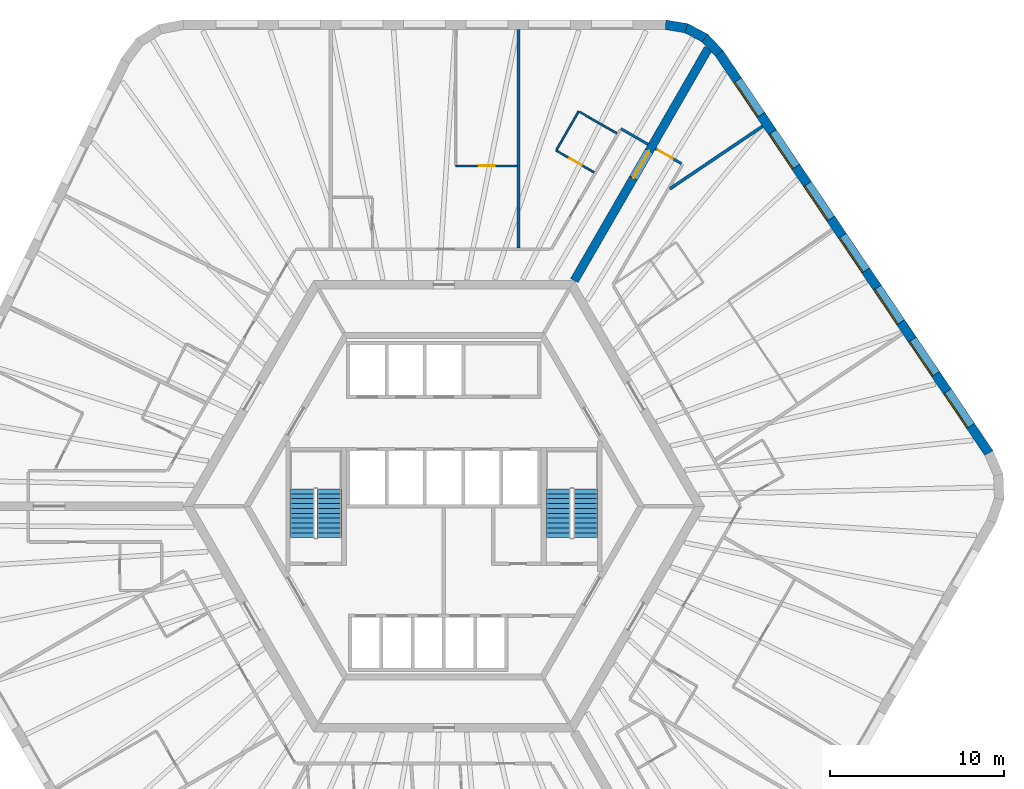
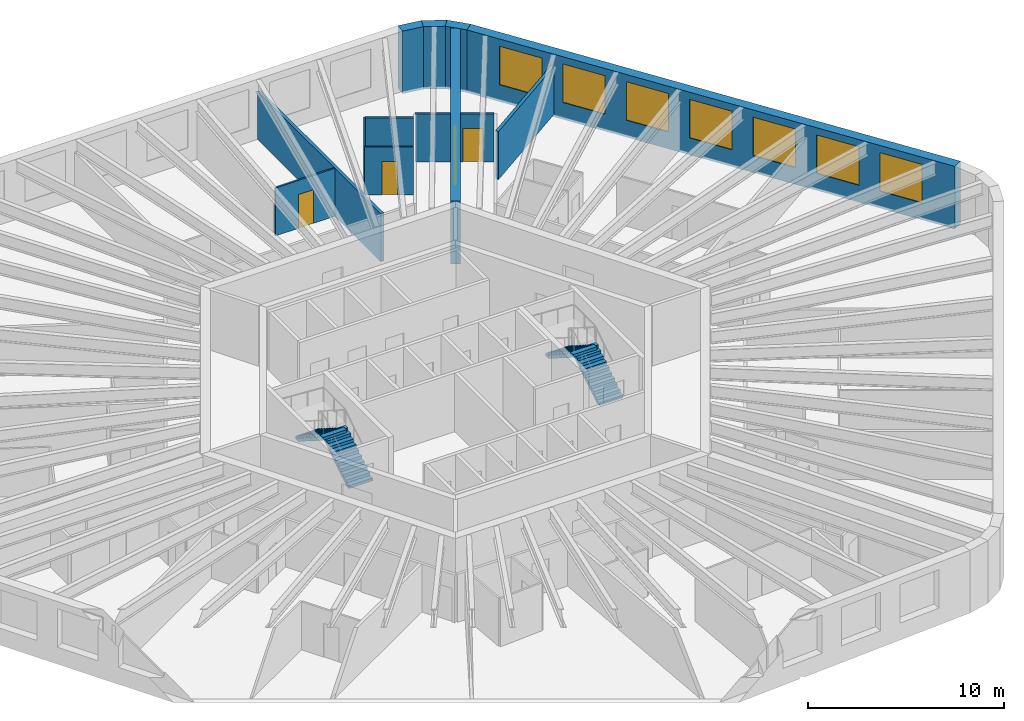
# One storey, part 9 of 10: 13 walls, 7 windows, 4 doors, 4 stair flights, 11 openings, 2 elements without a shape of their own.
"""IFC4 building model written with IfcOpenShell, lengths in metres."""

from ifc_helpers import new_model, si_unit, direction, frame, frame_2d, origin, place, context, subcontext, project, spatial, polyline, rectangle, outline, extrude, material, layer, layer_set, type_object, element, fill, aggregate, save


model = new_model("IFC4")

# Units and contexts
model_context = context("Model", 3, precision=1e-05, world=origin(), true_north=direction((0.0, 1.0)))
body_context = subcontext(model_context, "Body", "Model", "MODEL_VIEW")
ifc_project = project(units=[si_unit("LENGTHUNIT", "METRE"), si_unit("AREAUNIT", "SQUARE_METRE"), si_unit("VOLUMEUNIT", "CUBIC_METRE"), si_unit("PLANEANGLEUNIT", "RADIAN"), si_unit("MASSUNIT", "GRAM", prefix="KILO")], contexts=[model_context])

# Site, building, storey
site_placement = place(None, origin())
site = spatial("IfcSite", under=ifc_project, at=site_placement, CompositionType="ELEMENT")
building_placement = place(site_placement, origin())
building = spatial("IfcBuilding", under=site, at=building_placement, Name="Tarnside Tower", CompositionType="ELEMENT")
storey_placement = place(building_placement, frame((0.0, 0.0, 180.0)))
storey = spatial("IfcBuildingStorey", under=building, at=storey_placement, Name="L42", CompositionType="ELEMENT", Elevation=180.0)

# Wall, opening, door
ifc_material_1 = material(Name="Gypsum board partition on steel studs", Category="steel")
ifc_layer_1 = layer(ifc_material_1, 0.10009765625)
ifc_layer_set_1 = layer_set([ifc_layer_1], Name="Bathroom wall 100")
wall_type_1 = type_object("IfcWallType", Name="Bathroom wall 100", PredefinedType="PARTITIONING", material=ifc_layer_set_1)
wall_1_placement = place(storey_placement, frame((8.646240234375, 19.2255859375, 0.0), z_axis=(0.0, 0.0, 1.0), x_axis=(-0.866039067339, 0.499976333282, 0.0)))
wall_1 = element("IfcWall", 1, at=wall_1_placement, inside=storey, type_object=wall_type_1, Name="Bathroom wall 13049", PredefinedType="PARTITIONING", context=body_context, shape_type="SweptSolid", body=[
    extrude(rectangle(XDim=2.52490234375, YDim=0.10009765625, at=frame_2d((1.262451171875, 0.0))), origin(), (0.0, 0.0, 1.0), 2.98779296875),
])
opening_1_placement = place(wall_1_placement, frame((0.824951171875, 0.0, 0.0)))
opening_1 = element("IfcOpeningElement", 2, at=opening_1_placement, cuts=wall_1, Name="Opening D-B1", PredefinedType="OPENING", context=body_context, shape_type="SweptSolid", body=[
    extrude(rectangle(XDim=0.800048828125, YDim=2.10009765625, at=frame_2d((0.39990234375, 1.050048828125))), frame((0.0, 0.06005859375, 0.0), z_axis=(0.0, -1.0, 0.0), x_axis=(1.0, 0.0, 0.0)), (0.0, 0.0, 1.0), 0.1201171875),
])
ifc_material_2 = material(Name="Timber door leaf", Category="wood")
door_type_1 = type_object("IfcDoorType", Name="Bathroom door 800", OperationType="NOTDEFINED", PredefinedType="DOOR", material=ifc_material_2)
door_1_placement = place(opening_1_placement, origin())
door_1 = element("IfcDoor", 3, at=door_1_placement, inside=storey, type_object=door_type_1, Name="Bathroom door 13002", OperationType="SINGLE_SWING_RIGHT", OverallHeight=2.10009765625, OverallWidth=0.800048828125, PredefinedType="DOOR", context=body_context, shape_type="SweptSolid", body=[
    extrude(rectangle(XDim=0.800048828125, YDim=2.10009765625, at=frame_2d((0.39990234375, 1.050048828125))), frame((0.0, 0.02490234375, 0.0), z_axis=(0.0, -1.0, 0.0), x_axis=(1.0, 0.0, 0.0)), (0.0, 0.0, 1.0), 0.050048828125),
])
fill(opening_1, door_1)

# Walls
wall_2_placement = place(storey_placement, frame((6.484375, 20.531494140625, 0.0), z_axis=(0.0, 0.0, 1.0), x_axis=(0.500062241894, 0.865989465428, 0.0)))
element("IfcWall", 4, at=wall_2_placement, inside=storey, type_object=wall_type_1, Name="Bathroom wall 13050", PredefinedType="PARTITIONING", context=body_context, shape_type="SweptSolid", body=[
    extrude(rectangle(XDim=2.550048828125, YDim=0.10009765625, at=frame_2d((1.27490234375, 0.0))), origin(), (0.0, 0.0, 1.0), 2.98779296875),
])
wall_3_placement = place(storey_placement, frame((7.802734375, 22.71484375, 0.0), z_axis=(0.0, 0.0, 1.0), x_axis=(0.866006523861, -0.500032699561, 0.0)))
element("IfcWall", 5, at=wall_3_placement, inside=storey, type_object=wall_type_1, Name="Bathroom wall 13051", PredefinedType="PARTITIONING", context=body_context, shape_type="SweptSolid", body=[
    extrude(rectangle(XDim=2.474853515625, YDim=0.10009765625, at=frame_2d((1.2373046875, 0.0))), origin(), (0.0, 0.0, 1.0), 2.98779296875),
])

# Wall, opening, door
ifc_material_3 = material(Name="Concrete C70/85", Category="concrete")
ifc_layer_2 = layer(ifc_material_3, 0.5)
ifc_layer_set_2 = layer_set([ifc_layer_2], Name="Core wall Z2 500 C70/85")
wall_type_2 = type_object("IfcWallType", Name="Core wall Z2 500 C70/85", PredefinedType="SHEAR", material=ifc_layer_set_2)
wall_4_placement = place(storey_placement, frame((7.505615234375, 13.0, -0.14990234375), z_axis=(0.0, 0.0, 1.0), x_axis=(0.499988271576, 0.866032175087, 0.0)))
wall_4 = element("IfcWall", 6, at=wall_4_placement, inside=storey, type_object=wall_type_2, Name="L42 spine wall 1", PredefinedType="SHEAR", context=body_context, shape_type="SweptSolid", body=[
    extrude(rectangle(XDim=15.423583984375, YDim=0.5, at=frame_2d((7.7119140625, 0.0))), origin(), (0.0, 0.0, 1.0), 3.89990234375),
])
opening_2_placement = place(wall_4_placement, frame((6.811767578125, 0.0, 0.14990234375)))
opening_2 = element("IfcOpeningElement", 7, at=opening_2_placement, cuts=wall_4, Name="Opening CD-SPN", PredefinedType="OPENING", context=body_context, shape_type="SweptSolid", body=[
    extrude(rectangle(XDim=1.800048828125, YDim=2.39990234375, at=frame_2d((0.89990234375, 1.199951171875))), frame((0.0, 0.260009765625, 0.0), z_axis=(0.0, -1.0, 0.0), x_axis=(1.0, 0.0, 0.0)), (0.0, 0.0, 1.0), 0.52001953125),
])
ifc_material_4 = material(Name="Steel fire door", Category="steel")
door_type_2 = type_object("IfcDoorType", Name="Spine passage double door FD60 1800x2400", OperationType="NOTDEFINED", PredefinedType="DOOR", material=ifc_material_4)
door_2_placement = place(opening_2_placement, origin())
door_2 = element("IfcDoor", 8, at=door_2_placement, inside=storey, type_object=door_type_2, Name="L42 spine passage door 1", OperationType="DOUBLE_DOOR_SINGLE_SWING", OverallHeight=2.39990234375, OverallWidth=1.800048828125, PredefinedType="DOOR", context=body_context, shape_type="SweptSolid", body=[
    extrude(rectangle(XDim=1.800048828125, YDim=2.39990234375, at=frame_2d((0.89990234375, 1.199951171875))), frame((0.0, 0.02490234375, 0.0), z_axis=(0.0, -1.0, 0.0), x_axis=(1.0, 0.0, 0.0)), (0.0, 0.0, 1.0), 0.050048828125),
])
fill(opening_2, door_2)

# Wall
ifc_layer_3 = layer(ifc_material_1, 0.14990234375)
ifc_layer_set_3 = layer_set([ifc_layer_3], Name="Corridor wall 150 EI 60")
wall_type_3 = type_object("IfcWallType", Name="Corridor wall 150 EI 60", PredefinedType="PARTITIONING", material=ifc_layer_set_3)
wall_5_placement = place(storey_placement, frame((11.744873046875, 20.8427734375, 0.0), z_axis=(0.0, 0.0, 1.0), x_axis=(-0.865989075817, 0.500062916607, 0.0)))
element("IfcWall", 9, at=wall_5_placement, inside=storey, type_object=wall_type_3, Name="Corridor wall 13003", PredefinedType="PARTITIONING", context=body_context, shape_type="SweptSolid", body=[
    extrude(rectangle(XDim=1.800048828125, YDim=0.14990234375, at=frame_2d((0.89990234375, 0.0))), origin(), (0.0, 0.0, 1.0), 2.98779296875),
])

# Wall, opening, door
wall_6_placement = place(storey_placement, frame((13.671875, 19.73046875, 0.0), z_axis=(0.0, 0.0, 1.0), x_axis=(-0.866074815912, 0.499914405916, 0.0)))
wall_6 = element("IfcWall", 10, at=wall_6_placement, inside=storey, type_object=wall_type_3, Name="Corridor wall 13048", PredefinedType="PARTITIONING", context=body_context, shape_type="SweptSolid", body=[
    extrude(rectangle(XDim=1.724853515625, YDim=0.14990234375, at=frame_2d((0.8623046875, 0.0))), origin(), (0.0, 0.0, 1.0), 2.98779296875),
])
opening_3_placement = place(wall_6_placement, frame((0.574951171875, 0.0, 0.0)))
opening_3 = element("IfcOpeningElement", 11, at=opening_3_placement, cuts=wall_6, Name="Opening D-E1", PredefinedType="OPENING", context=body_context, shape_type="SweptSolid", body=[
    extrude(rectangle(XDim=1.0, YDim=2.10009765625, at=frame_2d((0.5, 1.050048828125))), frame((0.0, 0.0849609375, 0.0), z_axis=(0.0, -1.0, 0.0), x_axis=(1.0, 0.0, 0.0)), (0.0, 0.0, 1.0), 0.169921875),
])
door_type_3 = type_object("IfcDoorType", Name="Unit entrance door 1000 FD30S", OperationType="NOTDEFINED", PredefinedType="DOOR", material=ifc_material_2)
door_3_placement = place(opening_3_placement, origin())
door_3 = element("IfcDoor", 12, at=door_3_placement, inside=storey, type_object=door_type_3, Name="Unit door 13035", OperationType="SINGLE_SWING_LEFT", OverallHeight=2.10009765625, OverallWidth=1.0, PredefinedType="DOOR", context=body_context, shape_type="SweptSolid", body=[
    extrude(rectangle(XDim=1.0, YDim=2.10009765625, at=frame_2d((0.5, 1.050048828125))), frame((0.0, 0.02490234375, 0.0), z_axis=(0.0, -1.0, 0.0), x_axis=(1.0, 0.0, 0.0)), (0.0, 0.0, 1.0), 0.050048828125),
])
fill(opening_3, door_3)

# Walls
ifc_layer_4 = layer(ifc_material_1, 0.179931640625)
ifc_layer_set_4 = layer_set([ifc_layer_4], Name="Demising wall 180 EI 60")
wall_type_4 = type_object("IfcWallType", Name="Demising wall 180 EI 60", PredefinedType="PARTITIONING", material=ifc_layer_set_4)
wall_7_placement = place(storey_placement, frame((4.2822265625, 27.449951171875, 0.0), z_axis=(0.0, 0.0, 1.0), x_axis=(0.0, -1.0, 0.0)))
element("IfcWall", 13, at=wall_7_placement, inside=storey, type_object=wall_type_4, Name="Demising wall 13052", PredefinedType="PARTITIONING", context=body_context, shape_type="SweptSolid", body=[
    extrude(rectangle(XDim=12.574951171875, YDim=0.179931640625, at=frame_2d((6.28759765625, 0.0))), origin(), (0.0, 0.0, 1.0), 2.98779296875),
])
wall_8_placement = place(storey_placement, frame((18.349609375, 21.88427734375, 0.0), z_axis=(0.0, 0.0, 1.0), x_axis=(-0.829047205772, -0.559178621374, 0.0)))
element("IfcWall", 14, at=wall_8_placement, inside=storey, type_object=wall_type_4, Name="Demising wall 13115", PredefinedType="PARTITIONING", context=body_context, shape_type="SweptSolid", body=[
    extrude(rectangle(XDim=6.442138671875, YDim=0.179931640625, at=frame_2d((3.22119140625, 0.0))), origin(), (0.0, 0.0, 1.0), 2.98779296875),
])

# Wall, opening, door
ifc_layer_5 = layer(ifc_material_1, 0.10009765625)
ifc_layer_set_5 = layer_set([ifc_layer_5], Name="Partition 100")
wall_type_5 = type_object("IfcWallType", Name="Partition 100", PredefinedType="PARTITIONING", material=ifc_layer_set_5)
wall_9_placement = place(storey_placement, frame((4.192138671875, 19.60009765625, 0.0), z_axis=(0.0, 0.0, 1.0), x_axis=(-1.0, 0.0, 0.0)))
wall_9 = element("IfcWall", 15, at=wall_9_placement, inside=storey, type_object=wall_type_5, Name="Partition wall 13056", PredefinedType="PARTITIONING", context=body_context, shape_type="SweptSolid", body=[
    extrude(rectangle(XDim=3.510009765625, YDim=0.10009765625, at=frame_2d((1.7548828125, 0.0))), origin(), (0.0, 0.0, 1.0), 2.98779296875),
])
opening_4_placement = place(wall_9_placement, frame((1.260009765625, 0.0, 0.0)))
opening_4 = element("IfcOpeningElement", 16, at=opening_4_placement, cuts=wall_9, Name="Opening D-I1", PredefinedType="OPENING", context=body_context, shape_type="SweptSolid", body=[
    extrude(rectangle(XDim=0.89990234375, YDim=2.10009765625, at=frame_2d((0.449951171875, 1.050048828125))), frame((0.0, 0.06005859375, 0.0), z_axis=(0.0, -1.0, 0.0), x_axis=(1.0, 0.0, 0.0)), (0.0, 0.0, 1.0), 0.1201171875),
])
door_type_4 = type_object("IfcDoorType", Name="Internal door 900", OperationType="NOTDEFINED", PredefinedType="DOOR", material=ifc_material_2)
door_4_placement = place(opening_4_placement, origin())
door_4 = element("IfcDoor", 17, at=door_4_placement, inside=storey, type_object=door_type_4, Name="Internal door 13005", OperationType="SINGLE_SWING_RIGHT", OverallHeight=2.10009765625, OverallWidth=0.89990234375, PredefinedType="DOOR", context=body_context, shape_type="SweptSolid", body=[
    extrude(rectangle(XDim=0.89990234375, YDim=2.10009765625, at=frame_2d((0.449951171875, 1.050048828125))), frame((0.0, 0.02490234375, 0.0), z_axis=(0.0, -1.0, 0.0), x_axis=(1.0, 0.0, 0.0)), (0.0, 0.0, 1.0), 0.050048828125),
])
fill(opening_4, door_4)

# Wall, openings, windows
ifc_material_5 = material(Name="Facing brick", Category="masonry")
ifc_layer_6 = layer(ifc_material_5, 0.10205078125)
ifc_material_6 = material(Name="Concrete C60/75 precast", Category="concrete")
ifc_layer_7 = layer(ifc_material_6, 0.347900390625)
ifc_material_7 = material(Name="Mineral wool insulation")
ifc_layer_8 = layer(ifc_material_7, 0.10009765625)
ifc_layer_set_6 = layer_set([ifc_layer_6, ifc_layer_7, ifc_layer_8], Name="Tube wall 550 brick faced")
wall_type_6 = type_object("IfcWallType", Name="Tube wall 550 brick faced", PredefinedType="SOLIDWALL", material=ifc_layer_set_6)
wall_10_placement = place(storey_placement, frame((31.37109375, 3.070556640625, -0.14990234375), z_axis=(0.0, 0.0, 1.0), x_axis=(-0.559189891278, 0.829039604297, 0.0)))
wall_10 = element("IfcWall", 18, at=wall_10_placement, inside=storey, type_object=wall_type_6, Name="Tube wall L42 F6 flush 20", PredefinedType="SOLIDWALL", context=body_context, shape_type="SweptSolid", body=[
    extrude(outline(polyline([(-0.025634765625, -0.27490234375), (27.780517578125, -0.27490234375), (27.735595703125, 0.27490234375), (0.025634765625, 0.27490234375), (-0.025634765625, -0.27490234375)])), origin(), (0.0, 0.0, 1.0), 3.89990234375),
])
opening_5_placement = place(wall_10_placement, frame((1.87890625, 0.0, 1.050048828125)))
opening_5 = element("IfcOpeningElement", 19, at=opening_5_placement, cuts=wall_10, Name="Opening WH", PredefinedType="OPENING", context=body_context, shape_type="SweptSolid", body=[
    extrude(rectangle(XDim=2.39990234375, YDim=2.39990234375, at=frame_2d((1.199951171875, 1.199951171875))), frame((0.0, 0.28515625, 0.0), z_axis=(0.0, -1.0, 0.0), x_axis=(1.0, 0.0, 0.0)), (0.0, 0.0, 1.0), 0.570068359375),
])
opening_6_placement = place(wall_10_placement, frame((5.47900390625, 0.0, 1.050048828125)))
opening_6 = element("IfcOpeningElement", 20, at=opening_6_placement, cuts=wall_10, Name="Opening WH", PredefinedType="OPENING", context=body_context, shape_type="SweptSolid", body=[
    extrude(rectangle(XDim=2.39990234375, YDim=2.39990234375, at=frame_2d((1.199951171875, 1.199951171875))), frame((0.0, 0.28515625, 0.0), z_axis=(0.0, -1.0, 0.0), x_axis=(1.0, 0.0, 0.0)), (0.0, 0.0, 1.0), 0.570068359375),
])
opening_7_placement = place(wall_10_placement, frame((9.078857421875, 0.0, 1.050048828125)))
opening_7 = element("IfcOpeningElement", 21, at=opening_7_placement, cuts=wall_10, Name="Opening WH", PredefinedType="OPENING", context=body_context, shape_type="SweptSolid", body=[
    extrude(rectangle(XDim=2.39990234375, YDim=2.39990234375, at=frame_2d((1.199951171875, 1.199951171875))), frame((0.0, 0.28515625, 0.0), z_axis=(0.0, -1.0, 0.0), x_axis=(1.0, 0.0, 0.0)), (0.0, 0.0, 1.0), 0.570068359375),
])
opening_8_placement = place(wall_10_placement, frame((12.678955078125, 0.0, 1.050048828125)))
opening_8 = element("IfcOpeningElement", 22, at=opening_8_placement, cuts=wall_10, Name="Opening WH", PredefinedType="OPENING", context=body_context, shape_type="SweptSolid", body=[
    extrude(rectangle(XDim=2.39990234375, YDim=2.39990234375, at=frame_2d((1.199951171875, 1.199951171875))), frame((0.0, 0.28515625, 0.0), z_axis=(0.0, -1.0, 0.0), x_axis=(1.0, 0.0, 0.0)), (0.0, 0.0, 1.0), 0.570068359375),
])
opening_9_placement = place(wall_10_placement, frame((16.27880859375, 0.0, 1.050048828125)))
opening_9 = element("IfcOpeningElement", 23, at=opening_9_placement, cuts=wall_10, Name="Opening WH", PredefinedType="OPENING", context=body_context, shape_type="SweptSolid", body=[
    extrude(rectangle(XDim=2.39990234375, YDim=2.39990234375, at=frame_2d((1.199951171875, 1.199951171875))), frame((0.0, 0.28515625, 0.0), z_axis=(0.0, -1.0, 0.0), x_axis=(1.0, 0.0, 0.0)), (0.0, 0.0, 1.0), 0.570068359375),
])
opening_10_placement = place(wall_10_placement, frame((19.87890625, 0.0, 1.050048828125)))
opening_10 = element("IfcOpeningElement", 24, at=opening_10_placement, cuts=wall_10, Name="Opening WH", PredefinedType="OPENING", context=body_context, shape_type="SweptSolid", body=[
    extrude(rectangle(XDim=2.39990234375, YDim=2.39990234375, at=frame_2d((1.199951171875, 1.199951171875))), frame((0.0, 0.28515625, 0.0), z_axis=(0.0, -1.0, 0.0), x_axis=(1.0, 0.0, 0.0)), (0.0, 0.0, 1.0), 0.570068359375),
])
opening_11_placement = place(wall_10_placement, frame((23.47900390625, 0.0, 1.050048828125)))
opening_11 = element("IfcOpeningElement", 25, at=opening_11_placement, cuts=wall_10, Name="Opening WH", PredefinedType="OPENING", context=body_context, shape_type="SweptSolid", body=[
    extrude(rectangle(XDim=2.39990234375, YDim=2.39990234375, at=frame_2d((1.199951171875, 1.199951171875))), frame((0.0, 0.28515625, 0.0), z_axis=(0.0, -1.0, 0.0), x_axis=(1.0, 0.0, 0.0)), (0.0, 0.0, 1.0), 0.570068359375),
])
ifc_material_8 = material(Name="Aluminium-framed double glazing", Category="aluminium")
window_type = type_object("IfcWindowType", Name="Hotel window 2400 x 2400", PartitioningType="DOUBLE_PANEL_VERTICAL", PredefinedType="WINDOW", material=ifc_material_8)
window_1_placement = place(opening_5_placement, frame((0.0, 0.205078125, 0.0)))
window_1 = element("IfcWindow", 26, at=window_1_placement, inside=storey, type_object=window_type, Name="E.WN.L42.F6.00", OverallHeight=2.39990234375, OverallWidth=2.39990234375, PartitioningType="DOUBLE_PANEL_VERTICAL", PredefinedType="WINDOW", context=body_context, shape_type="SweptSolid", body=[
    extrude(rectangle(XDim=2.39990234375, YDim=2.39990234375, at=frame_2d((1.199951171875, 1.199951171875))), frame((0.0, 0.030029296875, 0.0), z_axis=(0.0, -1.0, 0.0), x_axis=(1.0, 0.0, 0.0)), (0.0, 0.0, 1.0), 0.06005859375),
])
fill(opening_5, window_1)
window_2_placement = place(opening_6_placement, frame((0.0, 0.205078125, 0.0)))
window_2 = element("IfcWindow", 27, at=window_2_placement, inside=storey, type_object=window_type, Name="E.WN.L42.F6.01", OverallHeight=2.39990234375, OverallWidth=2.39990234375, PartitioningType="DOUBLE_PANEL_VERTICAL", PredefinedType="WINDOW", context=body_context, shape_type="SweptSolid", body=[
    extrude(rectangle(XDim=2.39990234375, YDim=2.39990234375, at=frame_2d((1.199951171875, 1.199951171875))), frame((0.0, 0.030029296875, 0.0), z_axis=(0.0, -1.0, 0.0), x_axis=(1.0, 0.0, 0.0)), (0.0, 0.0, 1.0), 0.06005859375),
])
fill(opening_6, window_2)
window_3_placement = place(opening_7_placement, frame((0.0, 0.205078125, 0.0)))
window_3 = element("IfcWindow", 28, at=window_3_placement, inside=storey, type_object=window_type, Name="E.WN.L42.F6.02", OverallHeight=2.39990234375, OverallWidth=2.39990234375, PartitioningType="DOUBLE_PANEL_VERTICAL", PredefinedType="WINDOW", context=body_context, shape_type="SweptSolid", body=[
    extrude(rectangle(XDim=2.39990234375, YDim=2.39990234375, at=frame_2d((1.199951171875, 1.199951171875))), frame((0.0, 0.030029296875, 0.0), z_axis=(0.0, -1.0, 0.0), x_axis=(1.0, 0.0, 0.0)), (0.0, 0.0, 1.0), 0.06005859375),
])
fill(opening_7, window_3)
window_4_placement = place(opening_8_placement, frame((0.0, 0.205078125, 0.0)))
window_4 = element("IfcWindow", 29, at=window_4_placement, inside=storey, type_object=window_type, Name="E.WN.L42.F6.03", OverallHeight=2.39990234375, OverallWidth=2.39990234375, PartitioningType="DOUBLE_PANEL_VERTICAL", PredefinedType="WINDOW", context=body_context, shape_type="SweptSolid", body=[
    extrude(rectangle(XDim=2.39990234375, YDim=2.39990234375, at=frame_2d((1.199951171875, 1.199951171875))), frame((0.0, 0.030029296875, 0.0), z_axis=(0.0, -1.0, 0.0), x_axis=(1.0, 0.0, 0.0)), (0.0, 0.0, 1.0), 0.06005859375),
])
fill(opening_8, window_4)
window_5_placement = place(opening_9_placement, frame((0.0, 0.205078125, 0.0)))
window_5 = element("IfcWindow", 30, at=window_5_placement, inside=storey, type_object=window_type, Name="E.WN.L42.F6.04", OverallHeight=2.39990234375, OverallWidth=2.39990234375, PartitioningType="DOUBLE_PANEL_VERTICAL", PredefinedType="WINDOW", context=body_context, shape_type="SweptSolid", body=[
    extrude(rectangle(XDim=2.39990234375, YDim=2.39990234375, at=frame_2d((1.199951171875, 1.199951171875))), frame((0.0, 0.030029296875, 0.0), z_axis=(0.0, -1.0, 0.0), x_axis=(1.0, 0.0, 0.0)), (0.0, 0.0, 1.0), 0.06005859375),
])
fill(opening_9, window_5)
window_6_placement = place(opening_10_placement, frame((0.0, 0.205078125, 0.0)))
window_6 = element("IfcWindow", 31, at=window_6_placement, inside=storey, type_object=window_type, Name="E.WN.L42.F6.05", OverallHeight=2.39990234375, OverallWidth=2.39990234375, PartitioningType="DOUBLE_PANEL_VERTICAL", PredefinedType="WINDOW", context=body_context, shape_type="SweptSolid", body=[
    extrude(rectangle(XDim=2.39990234375, YDim=2.39990234375, at=frame_2d((1.199951171875, 1.199951171875))), frame((0.0, 0.030029296875, 0.0), z_axis=(0.0, -1.0, 0.0), x_axis=(1.0, 0.0, 0.0)), (0.0, 0.0, 1.0), 0.06005859375),
])
fill(opening_10, window_6)
window_7_placement = place(opening_11_placement, frame((0.0, 0.205078125, 0.0)))
window_7 = element("IfcWindow", 32, at=window_7_placement, inside=storey, type_object=window_type, Name="E.WN.L42.F6.06", OverallHeight=2.39990234375, OverallWidth=2.39990234375, PartitioningType="DOUBLE_PANEL_VERTICAL", PredefinedType="WINDOW", context=body_context, shape_type="SweptSolid", body=[
    extrude(rectangle(XDim=2.39990234375, YDim=2.39990234375, at=frame_2d((1.199951171875, 1.199951171875))), frame((0.0, 0.030029296875, 0.0), z_axis=(0.0, -1.0, 0.0), x_axis=(1.0, 0.0, 0.0)), (0.0, 0.0, 1.0), 0.06005859375),
])
fill(opening_11, window_7)

# Walls
wall_11_placement = place(storey_placement, frame((15.84912109375, 26.0830078125, -0.14990234375), z_axis=(0.0, 0.0, 1.0), x_axis=(-0.686196220404, 0.727416488061, 0.0)))
element("IfcWall", 33, at=wall_11_placement, inside=storey, type_object=wall_type_6, Name="Tube wall L42 F6 chord 21", PredefinedType="SOLIDWALL", context=body_context, shape_type="SweptSolid", body=[
    extrude(outline(polyline([(-0.0224609375, -0.27490234375), (1.25341796875, -0.27490234375), (1.1630859375, 0.27490234375), (0.0224609375, 0.27490234375), (-0.0224609375, -0.27490234375)])), origin(), (0.0, 0.0, 1.0), 3.89990234375),
])
wall_12_placement = place(storey_placement, frame((15.02001953125, 26.9619140625, -0.14990234375), z_axis=(0.0, 0.0, 1.0), x_axis=(-0.882950818639, 0.469465495926, 0.0)))
element("IfcWall", 34, at=wall_12_placement, inside=storey, type_object=wall_type_6, Name="Tube wall L42 F6 chord 22", PredefinedType="SOLIDWALL", context=body_context, shape_type="SweptSolid", body=[
    extrude(outline(polyline([(-0.045166015625, -0.27490234375), (1.253173828125, -0.27490234375), (1.162841796875, 0.27490234375), (0.045166015625, 0.27490234375), (-0.045166015625, -0.27490234375)])), origin(), (0.0, 0.0, 1.0), 3.89990234375),
])
wall_13_placement = place(storey_placement, frame((13.953369140625, 27.529052734375, -0.14990234375), z_axis=(0.0, 0.0, 1.0), x_axis=(-0.986751945211, 0.162236243244, 0.0)))
element("IfcWall", 35, at=wall_13_placement, inside=storey, type_object=wall_type_6, Name="Tube wall L42 F6 chord 23", PredefinedType="SOLIDWALL", context=body_context, shape_type="SweptSolid", body=[
    extrude(outline(polyline([(-0.045166015625, -0.27490234375), (1.23095703125, -0.27490234375), (1.18603515625, 0.27490234375), (0.045166015625, 0.27490234375), (-0.045166015625, -0.27490234375)])), origin(), (0.0, 0.0, 1.0), 3.89990234375),
])

# Stair, stair flights
ifc_material_9 = material(Name="Concrete C40/50", Category="concrete")
stair_type = type_object("IfcStairType", Name="Exit stair 1400 clear", PredefinedType="HALF_TURN_STAIR", material=ifc_material_9)
stair_1_placement = place(storey_placement, origin())
stair_1 = element("IfcStair", 36, at=stair_1_placement, inside=storey, type_object=stair_type, Name="L42 Exit stair 1", PredefinedType="HALF_TURN_STAIR")
stair_flight_type = type_object("IfcStairFlightType", Name="Exit stair flight 1400", PredefinedType="STRAIGHT", material=ifc_material_9)
stair_flight_1_placement = place(storey_placement, frame((8.14990234375, -1.800048828125, 0.0), z_axis=(0.0, 0.0, 1.0), x_axis=(0.0, 1.0, 0.0)))
stair_flight_1 = element("IfcStairFlight", 37, at=stair_flight_1_placement, type_object=stair_flight_type, Name="ST1 flight 1", NumberOfRisers=11, NumberOfTreads=10, PredefinedType="STRAIGHT", RiserHeight=0.177272727, TreadLength=0.28, context=body_context, shape_type="SweptSolid", body=[
    extrude(outline(polyline([(0.0, 0.0), (0.0, 0.17724609375), (0.280029296875, 0.17724609375), (0.280029296875, 0.3544921875), (0.56005859375, 0.3544921875), (0.56005859375, 0.53173828125), (0.840087890625, 0.53173828125), (0.840087890625, 0.708984375), (1.1201171875, 0.708984375), (1.1201171875, 0.886474609375), (1.39990234375, 0.886474609375), (1.39990234375, 1.063720703125), (1.679931640625, 1.063720703125), (1.679931640625, 1.240966796875), (1.9599609375, 1.240966796875), (1.9599609375, 1.418212890625), (2.239990234375, 1.418212890625), (2.239990234375, 1.595458984375), (2.52001953125, 1.595458984375), (2.52001953125, 1.772705078125), (2.800048828125, 1.772705078125), (2.800048828125, 1.949951171875), (2.800048828125, 1.59521484375), (0.2802734375, 0.0), (0.0, 0.0)])), frame((0.0, 0.699951171875, 0.0), z_axis=(0.0, -1.0, 0.0), x_axis=(1.0, 0.0, 0.0)), (0.0, 0.0, 1.0), 1.39990234375),
])
stair_flight_2_placement = place(storey_placement, frame((6.60009765625, 1.0, 1.949951171875), z_axis=(0.0, 0.0, 1.0), x_axis=(0.0, -1.0, 0.0)))
stair_flight_2 = element("IfcStairFlight", 38, at=stair_flight_2_placement, type_object=stair_flight_type, Name="ST1 flight 2", NumberOfRisers=11, NumberOfTreads=10, PredefinedType="STRAIGHT", RiserHeight=0.177272727, TreadLength=0.28, context=body_context, shape_type="SweptSolid", body=[
    extrude(outline(polyline([(0.0, 0.0), (0.0, 0.17724609375), (0.280029296875, 0.17724609375), (0.280029296875, 0.3544921875), (0.56005859375, 0.3544921875), (0.56005859375, 0.53173828125), (0.840087890625, 0.53173828125), (0.840087890625, 0.708984375), (1.1201171875, 0.708984375), (1.1201171875, 0.886474609375), (1.39990234375, 0.886474609375), (1.39990234375, 1.063720703125), (1.679931640625, 1.063720703125), (1.679931640625, 1.240966796875), (1.9599609375, 1.240966796875), (1.9599609375, 1.418212890625), (2.239990234375, 1.418212890625), (2.239990234375, 1.595458984375), (2.52001953125, 1.595458984375), (2.52001953125, 1.772705078125), (2.800048828125, 1.772705078125), (2.800048828125, 1.949951171875), (2.800048828125, 1.59521484375), (0.2802734375, 0.0), (0.0, 0.0)])), frame((0.0, 0.699951171875, 0.0), z_axis=(0.0, -1.0, 0.0), x_axis=(1.0, 0.0, 0.0)), (0.0, 0.0, 1.0), 1.39990234375),
])
aggregate(stair_1, [stair_flight_1, stair_flight_2])

stair_2_placement = place(storey_placement, origin())
stair_2 = element("IfcStair", 39, at=stair_2_placement, inside=storey, type_object=stair_type, Name="L42 Exit stair 2", PredefinedType="HALF_TURN_STAIR")
stair_flight_3_placement = place(storey_placement, frame((-6.60009765625, -1.800048828125, 0.0), z_axis=(0.0, 0.0, 1.0), x_axis=(0.0, 1.0, 0.0)))
stair_flight_3 = element("IfcStairFlight", 40, at=stair_flight_3_placement, type_object=stair_flight_type, Name="ST2 flight 1", NumberOfRisers=11, NumberOfTreads=10, PredefinedType="STRAIGHT", RiserHeight=0.177272727, TreadLength=0.28, context=body_context, shape_type="SweptSolid", body=[
    extrude(outline(polyline([(0.0, 0.0), (0.0, 0.17724609375), (0.280029296875, 0.17724609375), (0.280029296875, 0.3544921875), (0.56005859375, 0.3544921875), (0.56005859375, 0.53173828125), (0.840087890625, 0.53173828125), (0.840087890625, 0.708984375), (1.1201171875, 0.708984375), (1.1201171875, 0.886474609375), (1.39990234375, 0.886474609375), (1.39990234375, 1.063720703125), (1.679931640625, 1.063720703125), (1.679931640625, 1.240966796875), (1.9599609375, 1.240966796875), (1.9599609375, 1.418212890625), (2.239990234375, 1.418212890625), (2.239990234375, 1.595458984375), (2.52001953125, 1.595458984375), (2.52001953125, 1.772705078125), (2.800048828125, 1.772705078125), (2.800048828125, 1.949951171875), (2.800048828125, 1.59521484375), (0.2802734375, 0.0), (0.0, 0.0)])), frame((0.0, 0.699951171875, 0.0), z_axis=(0.0, -1.0, 0.0), x_axis=(1.0, 0.0, 0.0)), (0.0, 0.0, 1.0), 1.39990234375),
])
stair_flight_4_placement = place(storey_placement, frame((-8.14990234375, 1.0, 1.949951171875), z_axis=(0.0, 0.0, 1.0), x_axis=(0.0, -1.0, 0.0)))
stair_flight_4 = element("IfcStairFlight", 41, at=stair_flight_4_placement, type_object=stair_flight_type, Name="ST2 flight 2", NumberOfRisers=11, NumberOfTreads=10, PredefinedType="STRAIGHT", RiserHeight=0.177272727, TreadLength=0.28, context=body_context, shape_type="SweptSolid", body=[
    extrude(outline(polyline([(0.0, 0.0), (0.0, 0.17724609375), (0.280029296875, 0.17724609375), (0.280029296875, 0.3544921875), (0.56005859375, 0.3544921875), (0.56005859375, 0.53173828125), (0.840087890625, 0.53173828125), (0.840087890625, 0.708984375), (1.1201171875, 0.708984375), (1.1201171875, 0.886474609375), (1.39990234375, 0.886474609375), (1.39990234375, 1.063720703125), (1.679931640625, 1.063720703125), (1.679931640625, 1.240966796875), (1.9599609375, 1.240966796875), (1.9599609375, 1.418212890625), (2.239990234375, 1.418212890625), (2.239990234375, 1.595458984375), (2.52001953125, 1.595458984375), (2.52001953125, 1.772705078125), (2.800048828125, 1.772705078125), (2.800048828125, 1.949951171875), (2.800048828125, 1.59521484375), (0.2802734375, 0.0), (0.0, 0.0)])), frame((0.0, 0.699951171875, 0.0), z_axis=(0.0, -1.0, 0.0), x_axis=(1.0, 0.0, 0.0)), (0.0, 0.0, 1.0), 1.39990234375),
])
aggregate(stair_2, [stair_flight_3, stair_flight_4])

save(model, "model.ifc")
